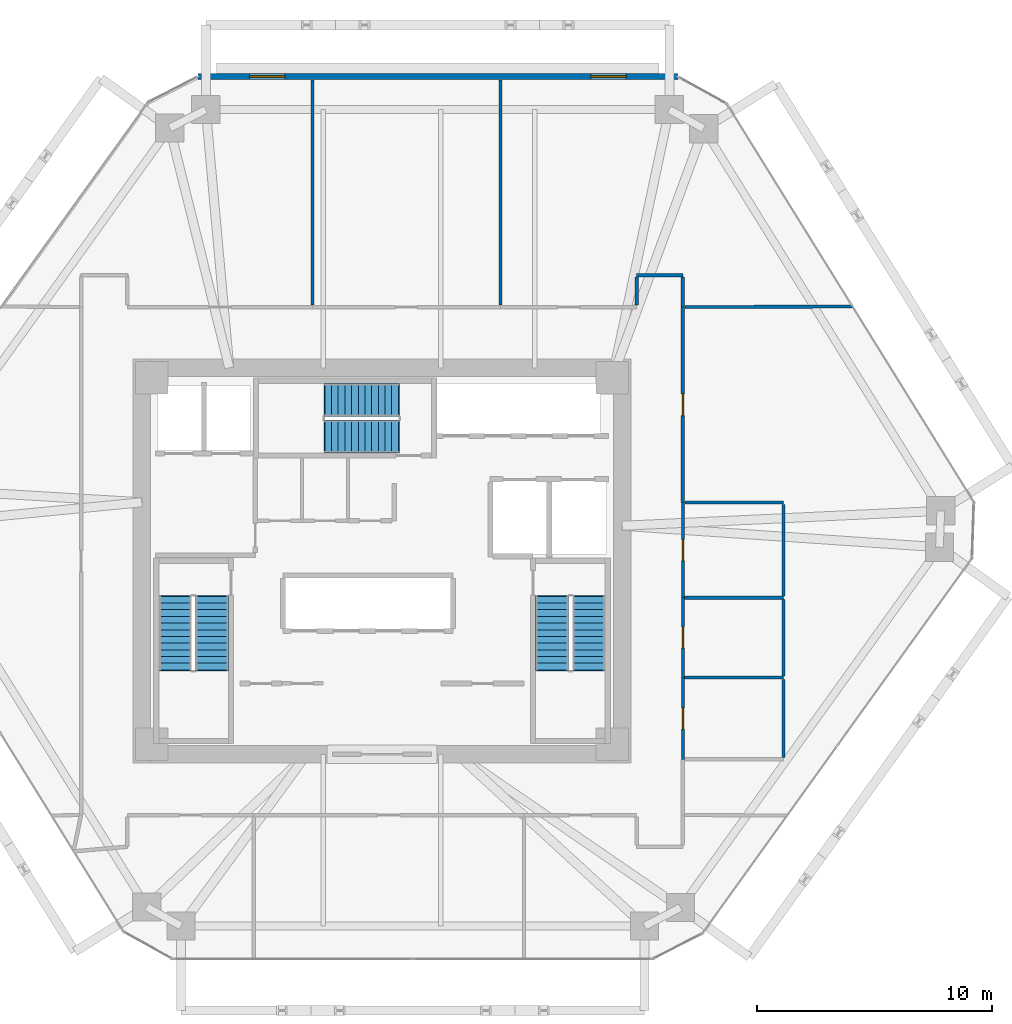
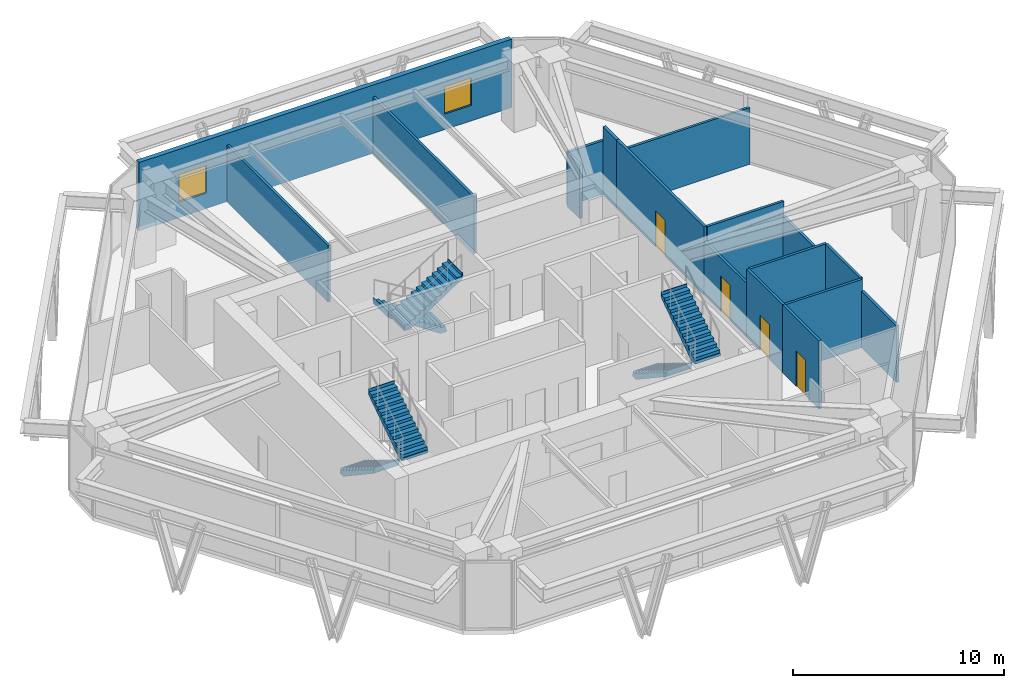
# One storey, part 12 of 14: 17 walls, 6 stair flights, 4 doors, 2 windows, 6 openings, 3 elements without a shape of their own.
"""IFC4 building model written with IfcOpenShell, lengths in metres."""

from ifc_helpers import new_model, si_unit, direction, frame, frame_2d, origin, place, context, subcontext, project, spatial, polyline, rectangle, outline, extrude, source, transform, mapped, material, layer, layer_set, type_object, type_shapes, element, fill, aggregate, save


model = new_model("IFC4")

# Units and contexts
model_context = context("Model", 3, precision=1e-05, world=origin(), true_north=direction((0.0, 1.0)))
body_context = subcontext(model_context, "Body", "Model", "MODEL_VIEW")
ifc_project = project(units=[si_unit("LENGTHUNIT", "METRE"), si_unit("AREAUNIT", "SQUARE_METRE"), si_unit("VOLUMEUNIT", "CUBIC_METRE"), si_unit("PLANEANGLEUNIT", "RADIAN"), si_unit("MASSUNIT", "GRAM", prefix="KILO")], contexts=[model_context])

# Site, building, storey
site_placement = place(None, origin())
site = spatial("IfcSite", under=ifc_project, at=site_placement, CompositionType="ELEMENT")
building_placement = place(site_placement, origin())
building = spatial("IfcBuilding", under=site, at=building_placement, Name="Durnholm Broadcast Tower", CompositionType="ELEMENT")
storey_placement = place(building_placement, frame((0.0, 0.0, 93.300048828125)))
storey = spatial("IfcBuildingStorey", under=building, at=storey_placement, Name="L24", CompositionType="ELEMENT", Elevation=93.300048828125)

# Wall, openings, windows
ifc_material_1 = material(Name="Precast Concrete C45/55", Category="concrete")
ifc_layer_1 = layer(ifc_material_1, 0.260009765625)
ifc_layer_set_1 = layer_set([ifc_layer_1], Name="Precast Concrete C45/55")
wall_type_1 = type_object("IfcWallType", Name="WALL-EXT-260", PredefinedType="SOLIDWALL", material=ifc_layer_set_1)
wall_1_placement = place(storey_placement, frame((-7.836181640625, 20.614990234375, 0.0), z_axis=(0.0, 0.0, 1.0), x_axis=(1.0, 0.0, 0.0)))
wall_1 = element("IfcWall", 1, at=wall_1_placement, inside=storey, type_object=wall_type_1, Name="L24 north feature spandrel wall", PredefinedType="SOLIDWALL", context=body_context, shape_type="SweptSolid", body=[
    extrude(rectangle(XDim=20.429443359375, YDim=0.260009765625, at=frame_2d((10.21484375, 0.0))), origin(), (0.0, 0.0, 1.0), 3.9599609375),
])
opening_1_placement = place(wall_1_placement, frame((2.199951171875, 0.0, 0.89990234375)))
opening_1 = element("IfcOpeningElement", 2, at=opening_1_placement, cuts=wall_1, Name="Opening W4", PredefinedType="OPENING", context=body_context, shape_type="SweptSolid", body=[
    extrude(rectangle(XDim=1.5, YDim=1.60009765625, at=frame_2d((0.75, 0.800048828125))), frame((0.0, 0.14013671875, 0.0), z_axis=(0.0, -1.0, 0.0), x_axis=(1.0, 0.0, 0.0)), (0.0, 0.0, 1.0), 0.280029296875),
])
opening_2_placement = place(wall_1_placement, frame((16.72900390625, 0.0, 0.89990234375)))
opening_2 = element("IfcOpeningElement", 3, at=opening_2_placement, cuts=wall_1, Name="Opening W4", PredefinedType="OPENING", context=body_context, shape_type="SweptSolid", body=[
    extrude(rectangle(XDim=1.5, YDim=1.60009765625, at=frame_2d((0.75, 0.800048828125))), frame((0.0, 0.14013671875, 0.0), z_axis=(0.0, -1.0, 0.0), x_axis=(1.0, 0.0, 0.0)), (0.0, 0.0, 1.0), 0.280029296875),
])
ifc_material_2 = material(Name="Thermally Broken Aluminium and Laminated Glass", Category="aluminium")
ifc_layer_2 = layer(ifc_material_2, 0.06005859375)
ifc_layer_set_2 = layer_set([ifc_layer_2], Name="Thermally Broken Aluminium and Laminated Glass")
window_type = type_object("IfcWindowType", Name="WIN-W4", PartitioningType="SINGLE_PANEL", PredefinedType="WINDOW", material=ifc_layer_set_2)
shared_shape_1 = source(origin(), body_context, "Body", "SweptSolid", [
    extrude(rectangle(XDim=1.5, YDim=1.60009765625, at=frame_2d((0.75, 0.800048828125))), frame((0.0, 0.030029296875, 0.0), z_axis=(0.0, -1.0, 0.0), x_axis=(1.0, 0.0, 0.0)), (0.0, 0.0, 1.0), 0.06005859375),
])
type_shapes(window_type, [shared_shape_1])
window_1_placement = place(opening_1_placement, origin())
window_1 = element("IfcWindow", 4, at=window_1_placement, inside=storey, type_object=window_type, Name="L24 feature window 1", OverallHeight=1.60009765625, OverallWidth=1.5, PartitioningType="SINGLE_PANEL", PredefinedType="WINDOW", context=body_context, shape_type="MappedRepresentation", body=[
    mapped(shared_shape_1, transform((0.0, 0.0, 0.0), x_axis=(1.0, 0.0, 0.0), y_axis=(0.0, 1.0, 0.0), z_axis=(0.0, 0.0, 1.0), scale=1.0)),
])
fill(opening_1, window_1)
window_2_placement = place(opening_2_placement, origin())
window_2 = element("IfcWindow", 5, at=window_2_placement, inside=storey, type_object=window_type, Name="L24 feature window 2", OverallHeight=1.60009765625, OverallWidth=1.5, PartitioningType="SINGLE_PANEL", PredefinedType="WINDOW", context=body_context, shape_type="MappedRepresentation", body=[
    mapped(shared_shape_1, transform((0.0, 0.0, 0.0), x_axis=(1.0, 0.0, 0.0), y_axis=(0.0, 1.0, 0.0), z_axis=(0.0, 0.0, 1.0), scale=1.0)),
])
fill(opening_2, window_2)

# Walls
ifc_material_3 = material(Name="Gypsum Metal Stud Partition", Category="concrete")
ifc_layer_3 = layer(ifc_material_3, 0.135009765625)
ifc_layer_set_3 = layer_set([ifc_layer_3], Name="Gypsum Metal Stud Partition")
wall_type_2 = type_object("IfcWallType", Name="WALL-PART-135", PredefinedType="PARTITIONING", material=ifc_layer_set_3)
for number, where, z_axis, x_axis, name in (
    (6, (-2.9599609375, 20.47998046875, 0.0), (0.0, 0.0, 1.0), (0.0, -1.0, 0.0), "L24 room dividing partition 10.11"),
    (7, (5.0400390625, 20.47998046875, 0.0), (0.0, 0.0, 1.0), (0.0, -1.0, 0.0), "L24 room dividing partition 11.12"),
):
    element("IfcWall", number, at=place(storey_placement, frame(where, z_axis=z_axis, x_axis=x_axis)), inside=storey, type_object=wall_type_2, Name=name, PredefinedType="PARTITIONING", context=body_context, shape_type="SweptSolid", body=[
        extrude(rectangle(XDim=9.591064453125, YDim=0.135009765625, at=frame_2d((4.79541015625, 0.0))), origin(), (0.0, 0.0, 1.0), 3.280029296875),
    ])
wall_2_placement = place(storey_placement, frame((20.03515625, 10.8310546875, 0.0), z_axis=(0.0, 0.0, 1.0), x_axis=(-0.999995783715, -0.002903885812, 0.0)))
element("IfcWall", 8, at=wall_2_placement, inside=storey, type_object=wall_type_2, Name="L24 room dividing partition 12.17", PredefinedType="PARTITIONING", context=body_context, shape_type="SweptSolid", body=[
    extrude(rectangle(XDim=7.146240234375, YDim=0.135009765625, at=frame_2d((3.5732421875, 0.0))), origin(), (0.0, 0.0, 1.0), 3.280029296875),
])
ifc_material_4 = material(Name="Acoustic Gypsum Stud Partition", Category="concrete")
ifc_layer_4 = layer(ifc_material_4, 0.14990234375)
ifc_layer_set_4 = layer_set([ifc_layer_4], Name="Acoustic Gypsum Stud Partition")
wall_type_3 = type_object("IfcWallType", Name="WALL-PART-150", PredefinedType="PARTITIONING", material=ifc_layer_set_4)
wall_3_placement = place(storey_placement, frame((12.81005859375, 12.159912109375, 0.0), z_axis=(0.0, 0.0, 1.0), x_axis=(-1.0, 0.0, 0.0)))
element("IfcWall", 9, at=wall_3_placement, inside=storey, type_object=wall_type_3, Name="L24 Sky Terrace Lounge corridor partition", PredefinedType="PARTITIONING", context=body_context, shape_type="SweptSolid", body=[
    extrude(rectangle(XDim=1.969970703125, YDim=0.14990234375, at=frame_2d((0.98486328125, 0.0))), origin(), (0.0, 0.0, 1.0), 3.112060546875),
])
wall_4_placement = place(storey_placement, frame((12.81005859375, 10.81005859375, 0.0), z_axis=(0.0, 0.0, 1.0), x_axis=(0.0, 1.0, 0.0)))
element("IfcWall", 10, at=wall_4_placement, inside=storey, type_object=wall_type_3, Name="L24 Sky Terrace Lounge corridor partition", PredefinedType="PARTITIONING", context=body_context, shape_type="SweptSolid", body=[
    extrude(rectangle(XDim=1.27099609375, YDim=0.14990234375, at=frame_2d((0.635498046875, 0.0))), origin(), (0.0, 0.0, 1.0), 3.945068359375),
])
wall_5_placement = place(storey_placement, frame((10.840087890625, 12.0810546875, 0.0), z_axis=(0.0, 0.0, 1.0), x_axis=(0.0, -1.0, 0.0)))
element("IfcWall", 11, at=wall_5_placement, inside=storey, type_object=wall_type_3, Name="L24 Sky Terrace Lounge corridor partition", PredefinedType="PARTITIONING", context=body_context, shape_type="SweptSolid", body=[
    extrude(rectangle(XDim=1.192138671875, YDim=0.14990234375, at=frame_2d((0.59619140625, 0.0))), origin(), (0.0, 0.0, 1.0), 3.112060546875),
])

# Wall, opening, door
wall_6_placement = place(storey_placement, frame((12.81005859375, 2.489990234375, 0.0), z_axis=(0.0, 0.0, 1.0), x_axis=(0.0, 1.0, 0.0)))
wall_6 = element("IfcWall", 12, at=wall_6_placement, inside=storey, type_object=wall_type_3, Name="L24 Broadcast Espresso Dining Room corridor partition", PredefinedType="PARTITIONING", context=body_context, shape_type="SweptSolid", body=[
    extrude(rectangle(XDim=8.320068359375, YDim=0.14990234375, at=frame_2d((4.16015625, 0.0))), origin(), (0.0, 0.0, 1.0), 3.945068359375),
])
opening_3_placement = place(wall_6_placement, frame((3.699951171875, 0.0, 0.0)))
opening_3 = element("IfcOpeningElement", 13, at=opening_3_placement, cuts=wall_6, Name="Opening DR-92R", PredefinedType="OPENING", context=body_context, shape_type="SweptSolid", body=[
    extrude(rectangle(XDim=0.919921875, YDim=2.10009765625, at=frame_2d((0.4599609375, 1.050048828125))), frame((0.0, 0.0849609375, 0.0), z_axis=(0.0, -1.0, 0.0), x_axis=(1.0, 0.0, 0.0)), (0.0, 0.0, 1.0), 0.169921875),
])
ifc_material_5 = material(Name="Oak Veneer Office Door", Category="wood")
ifc_layer_5 = layer(ifc_material_5, 0.050048828125)
ifc_layer_set_5 = layer_set([ifc_layer_5], Name="Oak Veneer Office Door")
door_type_1 = type_object("IfcDoorType", Name="DOOR-RM-920R", OperationType="NOTDEFINED", PredefinedType="DOOR", material=ifc_layer_set_5)
shared_shape_2 = source(origin(), body_context, "Body", "SweptSolid", [
    extrude(rectangle(XDim=0.919921875, YDim=2.10009765625, at=frame_2d((0.4599609375, 1.050048828125))), frame((0.0, 0.02490234375, 0.0), z_axis=(0.0, -1.0, 0.0), x_axis=(1.0, 0.0, 0.0)), (0.0, 0.0, 1.0), 0.050048828125),
])
type_shapes(door_type_1, [shared_shape_2])
door_1_placement = place(opening_3_placement, origin())
door_1 = element("IfcDoor", 14, at=door_1_placement, inside=storey, type_object=door_type_1, Name="L24 Broadcast Espresso Dining Room entrance door", OperationType="SINGLE_SWING_RIGHT", OverallHeight=2.10009765625, OverallWidth=0.919921875, PredefinedType="DOOR", context=body_context, shape_type="MappedRepresentation", body=[
    mapped(shared_shape_2, transform((0.0, 0.0, 0.0), x_axis=(1.0, 0.0, 0.0), y_axis=(0.0, 1.0, 0.0), z_axis=(0.0, 0.0, 1.0), scale=1.0)),
])
fill(opening_3, door_1)

ifc_material_6 = material(Name="Moisture-Resistant Tile Partition", Category="concrete")
ifc_layer_6 = layer(ifc_material_6, 0.139892578125)
ifc_layer_set_6 = layer_set([ifc_layer_6], Name="Moisture-Resistant Tile Partition")
wall_type_4 = type_object("IfcWallType", Name="WALL-WC-140", PredefinedType="PARTITIONING", material=ifc_layer_set_6)
wall_7_placement = place(storey_placement, frame((12.81005859375, -8.43994140625, 0.0), z_axis=(0.0, 0.0, 1.0), x_axis=(0.0, 1.0, 0.0)))
wall_7 = element("IfcWall", 15, at=wall_7_placement, inside=storey, type_object=wall_type_4, Name="L24 Men's Restroom corridor partition", PredefinedType="PARTITIONING", context=body_context, shape_type="SweptSolid", body=[
    extrude(rectangle(XDim=3.47998046875, YDim=0.139892578125, at=frame_2d((1.739990234375, 0.0))), origin(), (0.0, 0.0, 1.0), 3.945068359375),
])
opening_4_placement = place(wall_7_placement, frame((1.2900390625, 0.0, 0.0)))
opening_4 = element("IfcOpeningElement", 16, at=opening_4_placement, cuts=wall_7, Name="Opening DW-90R", PredefinedType="OPENING", context=body_context, shape_type="SweptSolid", body=[
    extrude(rectangle(XDim=0.89990234375, YDim=2.050048828125, at=frame_2d((0.449951171875, 1.02490234375))), frame((0.0, 0.080078125, 0.0), z_axis=(0.0, -1.0, 0.0), x_axis=(1.0, 0.0, 0.0)), (0.0, 0.0, 1.0), 0.159912109375),
])
ifc_material_7 = material(Name="Laminate Restroom Door", Category="steel")
ifc_layer_7 = layer(ifc_material_7, 0.050048828125)
ifc_layer_set_7 = layer_set([ifc_layer_7], Name="Laminate Restroom Door")
door_type_2 = type_object("IfcDoorType", Name="DOOR-WC-900R", OperationType="NOTDEFINED", PredefinedType="DOOR", material=ifc_layer_set_7)
shared_shape_3 = source(origin(), body_context, "Body", "SweptSolid", [
    extrude(rectangle(XDim=0.89990234375, YDim=2.050048828125, at=frame_2d((0.449951171875, 1.02490234375))), frame((0.0, 0.02490234375, 0.0), z_axis=(0.0, -1.0, 0.0), x_axis=(1.0, 0.0, 0.0)), (0.0, 0.0, 1.0), 0.050048828125),
])
type_shapes(door_type_2, [shared_shape_3])
door_2_placement = place(opening_4_placement, origin())
door_2 = element("IfcDoor", 17, at=door_2_placement, inside=storey, type_object=door_type_2, Name="L24 Men's Restroom entrance door", OperationType="SINGLE_SWING_RIGHT", OverallHeight=2.050048828125, OverallWidth=0.89990234375, PredefinedType="DOOR", context=body_context, shape_type="MappedRepresentation", body=[
    mapped(shared_shape_3, transform((0.0, 0.0, 0.0), x_axis=(1.0, 0.0, 0.0), y_axis=(0.0, 1.0, 0.0), z_axis=(0.0, 0.0, 1.0), scale=1.0)),
])
fill(opening_4, door_2)

wall_8_placement = place(storey_placement, frame((12.81005859375, -4.9599609375, 0.0), z_axis=(0.0, 0.0, 1.0), x_axis=(0.0, 1.0, 0.0)))
wall_8 = element("IfcWall", 18, at=wall_8_placement, inside=storey, type_object=wall_type_4, Name="L24 Women's Restroom corridor partition", PredefinedType="PARTITIONING", context=body_context, shape_type="SweptSolid", body=[
    extrude(rectangle(XDim=3.39990234375, YDim=0.139892578125, at=frame_2d((1.699951171875, 0.0))), origin(), (0.0, 0.0, 1.0), 3.945068359375),
])
opening_5_placement = place(wall_8_placement, frame((1.25, 0.0, 0.0)))
opening_5 = element("IfcOpeningElement", 19, at=opening_5_placement, cuts=wall_8, Name="Opening DW-90L", PredefinedType="OPENING", context=body_context, shape_type="SweptSolid", body=[
    extrude(rectangle(XDim=0.89990234375, YDim=2.050048828125, at=frame_2d((0.449951171875, 1.02490234375))), frame((0.0, 0.080078125, 0.0), z_axis=(0.0, -1.0, 0.0), x_axis=(1.0, 0.0, 0.0)), (0.0, 0.0, 1.0), 0.159912109375),
])
ifc_layer_8 = layer(ifc_material_7, 0.050048828125)
ifc_layer_set_8 = layer_set([ifc_layer_8], Name="Laminate Restroom Door")
door_type_3 = type_object("IfcDoorType", Name="DOOR-WC-900L", OperationType="NOTDEFINED", PredefinedType="DOOR", material=ifc_layer_set_8)
shared_shape_4 = source(origin(), body_context, "Body", "SweptSolid", [
    extrude(rectangle(XDim=0.89990234375, YDim=2.050048828125, at=frame_2d((0.449951171875, 1.02490234375))), frame((0.0, 0.02490234375, 0.0), z_axis=(0.0, -1.0, 0.0), x_axis=(1.0, 0.0, 0.0)), (0.0, 0.0, 1.0), 0.050048828125),
])
type_shapes(door_type_3, [shared_shape_4])
door_3_placement = place(opening_5_placement, origin())
door_3 = element("IfcDoor", 20, at=door_3_placement, inside=storey, type_object=door_type_3, Name="L24 Women's Restroom entrance door", OperationType="SINGLE_SWING_LEFT", OverallHeight=2.050048828125, OverallWidth=0.89990234375, PredefinedType="DOOR", context=body_context, shape_type="MappedRepresentation", body=[
    mapped(shared_shape_4, transform((0.0, 0.0, 0.0), x_axis=(1.0, 0.0, 0.0), y_axis=(0.0, 1.0, 0.0), z_axis=(0.0, 0.0, 1.0), scale=1.0)),
])
fill(opening_5, door_3)

wall_9_placement = place(storey_placement, frame((12.81005859375, -1.56005859375, 0.0), z_axis=(0.0, 0.0, 1.0), x_axis=(0.0, 1.0, 0.0)))
wall_9 = element("IfcWall", 21, at=wall_9_placement, inside=storey, type_object=wall_type_4, Name="L24 Accessible Restroom corridor partition", PredefinedType="PARTITIONING", context=body_context, shape_type="SweptSolid", body=[
    extrude(rectangle(XDim=4.050048828125, YDim=0.139892578125, at=frame_2d((2.02490234375, 0.0))), origin(), (0.0, 0.0, 1.0), 3.112060546875),
])
opening_6_placement = place(wall_9_placement, frame((1.574951171875, 0.0, 0.0)))
opening_6 = element("IfcOpeningElement", 22, at=opening_6_placement, cuts=wall_9, Name="Opening DW-90R", PredefinedType="OPENING", context=body_context, shape_type="SweptSolid", body=[
    extrude(rectangle(XDim=0.89990234375, YDim=2.050048828125, at=frame_2d((0.449951171875, 1.02490234375))), frame((0.0, 0.080078125, 0.0), z_axis=(0.0, -1.0, 0.0), x_axis=(1.0, 0.0, 0.0)), (0.0, 0.0, 1.0), 0.159912109375),
])
door_4_placement = place(opening_6_placement, origin())
door_4 = element("IfcDoor", 23, at=door_4_placement, inside=storey, type_object=door_type_2, Name="L24 Accessible Restroom entrance door", OperationType="SINGLE_SWING_RIGHT", OverallHeight=2.050048828125, OverallWidth=0.89990234375, PredefinedType="DOOR", context=body_context, shape_type="MappedRepresentation", body=[
    mapped(shared_shape_3, transform((0.0, 0.0, 0.0), x_axis=(1.0, 0.0, 0.0), y_axis=(0.0, 1.0, 0.0), z_axis=(0.0, 0.0, 1.0), scale=1.0)),
])
fill(opening_6, door_4)

# Walls
wall_10_placement = place(storey_placement, frame((12.884033203125, -4.9599609375, 0.0), z_axis=(0.0, 0.0, 1.0), x_axis=(1.0, 0.0, 0.0)))
element("IfcWall", 24, at=wall_10_placement, inside=storey, type_object=wall_type_4, Name="L24 room dividing partition 7.8", PredefinedType="PARTITIONING", context=body_context, shape_type="SweptSolid", body=[
    extrude(rectangle(XDim=4.2060546875, YDim=0.139892578125, at=frame_2d((2.10302734375, 0.0))), origin(), (0.0, 0.0, 1.0), 3.945068359375),
])
wall_11_placement = place(storey_placement, frame((17.090087890625, -5.033935546875, 0.0), z_axis=(0.0, 0.0, 1.0), x_axis=(0.0, -1.0, 0.0)))
element("IfcWall", 25, at=wall_11_placement, inside=storey, type_object=wall_type_4, Name="L24 room dividing partition 7.17", PredefinedType="PARTITIONING", context=body_context, shape_type="SweptSolid", body=[
    extrude(rectangle(XDim=3.33203125, YDim=0.139892578125, at=frame_2d((1.666015625, 0.0))), origin(), (0.0, 0.0, 1.0), 3.280029296875),
])
wall_12_placement = place(storey_placement, frame((12.884033203125, -1.56005859375, 0.0), z_axis=(0.0, 0.0, 1.0), x_axis=(1.0, 0.0, 0.0)))
element("IfcWall", 26, at=wall_12_placement, inside=storey, type_object=wall_type_4, Name="L24 room dividing partition 8.9", PredefinedType="PARTITIONING", context=body_context, shape_type="SweptSolid", body=[
    extrude(rectangle(XDim=4.2060546875, YDim=0.139892578125, at=frame_2d((2.10302734375, 0.0))), origin(), (0.0, 0.0, 1.0), 3.945068359375),
])
wall_13_placement = place(storey_placement, frame((17.090087890625, -1.634033203125, 0.0), z_axis=(0.0, 0.0, 1.0), x_axis=(0.0, -1.0, 0.0)))
element("IfcWall", 27, at=wall_13_placement, inside=storey, type_object=wall_type_4, Name="L24 room dividing partition 8.17", PredefinedType="PARTITIONING", context=body_context, shape_type="SweptSolid", body=[
    extrude(rectangle(XDim=3.251953125, YDim=0.139892578125, at=frame_2d((1.6259765625, 0.0))), origin(), (0.0, 0.0, 1.0), 3.945068359375),
])
wall_14_placement = place(storey_placement, frame((12.888916015625, 2.489990234375, 0.0), z_axis=(0.0, 0.0, 1.0), x_axis=(1.0, 0.0, 0.0)))
element("IfcWall", 28, at=wall_14_placement, inside=storey, type_object=wall_type_4, Name="L24 room dividing partition 9.17", PredefinedType="PARTITIONING", context=body_context, shape_type="SweptSolid", body=[
    extrude(rectangle(XDim=4.201171875, YDim=0.139892578125, at=frame_2d((2.1005859375, 0.0))), origin(), (0.0, 0.0, 1.0), 3.945068359375),
])
wall_15_placement = place(storey_placement, frame((17.090087890625, 2.416015625, 0.0), z_axis=(0.0, 0.0, 1.0), x_axis=(0.0, -1.0, 0.0)))
element("IfcWall", 29, at=wall_15_placement, inside=storey, type_object=wall_type_4, Name="L24 room dividing partition 9.17", PredefinedType="PARTITIONING", context=body_context, shape_type="SweptSolid", body=[
    extrude(rectangle(XDim=3.902099609375, YDim=0.139892578125, at=frame_2d((1.951171875, 0.0))), origin(), (0.0, 0.0, 1.0), 3.112060546875),
])

# Stair, stair flights
ifc_material_8 = material(Name="Concrete C50/60", Category="concrete")
stair_type = type_object("IfcStairType", Name="STAIR-DL-24R1750", PredefinedType="HALF_TURN_STAIR", material=ifc_material_8)
stair_1_placement = place(storey_placement, origin())
stair_1 = element("IfcStair", 30, at=stair_1_placement, inside=storey, type_object=stair_type, Name="L24 ST-1", PredefinedType="HALF_TURN_STAIR")
stair_flight_type = type_object("IfcStairFlightType", Name="FLIGHT-DL-24R1750", PredefinedType="STRAIGHT", material=ifc_material_8)
stair_flight_1_placement = place(storey_placement, frame((-8.800048828125, -1.5, 0.0), z_axis=(0.0, 0.0, 1.0), x_axis=(0.0, -1.0, 0.0)))
stair_flight_1 = element("IfcStairFlight", 31, at=stair_flight_1_placement, type_object=stair_flight_type, Name="ST-1 flight 1", NumberOfRisers=12, NumberOfTreads=11, PredefinedType="STRAIGHT", RiserHeight=0.175, TreadLength=0.285, context=body_context, shape_type="SweptSolid", body=[
    extrude(outline(polyline([(-0.0400390625, -0.14990234375), (-0.0400390625, 0.0), (0.0, 0.0), (0.0, 0.175048828125), (0.284912109375, 0.175048828125), (0.284912109375, 0.35009765625), (0.570068359375, 0.35009765625), (0.570068359375, 0.52490234375), (0.85498046875, 0.52490234375), (0.85498046875, 0.699951171875), (1.139892578125, 0.699951171875), (1.139892578125, 0.875), (1.425048828125, 0.875), (1.425048828125, 1.050048828125), (1.7099609375, 1.050048828125), (1.7099609375, 1.22509765625), (1.9951171875, 1.22509765625), (1.9951171875, 1.39990234375), (2.280029296875, 1.39990234375), (2.280029296875, 1.574951171875), (2.56494140625, 1.574951171875), (2.56494140625, 1.75), (2.85009765625, 1.75), (2.85009765625, 1.925048828125), (3.135009765625, 1.925048828125), (3.135009765625, 2.10009765625), (3.175048828125, 2.10009765625), (3.175048828125, 1.9501953125), (3.135009765625, 1.7490234375), (0.286376953125, -0.14990234375), (-0.0400390625, -0.14990234375)])), frame((0.0, 0.699951171875, 0.0), z_axis=(0.0, -1.0, 0.0), x_axis=(1.0, 0.0, 0.0)), (0.0, 0.0, 1.0), 1.39990234375),
])
stair_flight_2_placement = place(storey_placement, frame((-7.239990234375, -4.635009765625, 2.099853515625), z_axis=(0.0, 0.0, 1.0), x_axis=(0.0, 1.0, 0.0)))
stair_flight_2 = element("IfcStairFlight", 32, at=stair_flight_2_placement, type_object=stair_flight_type, Name="ST-1 flight 2", NumberOfRisers=12, NumberOfTreads=11, PredefinedType="STRAIGHT", RiserHeight=0.175, TreadLength=0.285, context=body_context, shape_type="SweptSolid", body=[
    extrude(outline(polyline([(-0.0400390625, -0.14990234375), (-0.0400390625, 0.0), (0.0, 0.0), (0.0, 0.175048828125), (0.284912109375, 0.175048828125), (0.284912109375, 0.35009765625), (0.570068359375, 0.35009765625), (0.570068359375, 0.52490234375), (0.85498046875, 0.52490234375), (0.85498046875, 0.699951171875), (1.139892578125, 0.699951171875), (1.139892578125, 0.875), (1.425048828125, 0.875), (1.425048828125, 1.050048828125), (1.7099609375, 1.050048828125), (1.7099609375, 1.22509765625), (1.9951171875, 1.22509765625), (1.9951171875, 1.39990234375), (2.280029296875, 1.39990234375), (2.280029296875, 1.574951171875), (2.56494140625, 1.574951171875), (2.56494140625, 1.75), (2.85009765625, 1.75), (2.85009765625, 1.925048828125), (3.135009765625, 1.925048828125), (3.135009765625, 2.10009765625), (3.175048828125, 2.10009765625), (3.175048828125, 1.9501953125), (3.135009765625, 1.7490234375), (0.286376953125, -0.14990234375), (-0.0400390625, -0.14990234375)])), frame((0.0, 0.699951171875, 0.0), z_axis=(0.0, -1.0, 0.0), x_axis=(1.0, 0.0, 0.0)), (0.0, 0.0, 1.0), 1.39990234375),
])
aggregate(stair_1, [stair_flight_1, stair_flight_2])

stair_2_placement = place(storey_placement, origin())
stair_2 = element("IfcStair", 33, at=stair_2_placement, inside=storey, type_object=stair_type, Name="L24 ST-2", PredefinedType="HALF_TURN_STAIR")
stair_flight_3_placement = place(storey_placement, frame((7.239990234375, -1.5, 0.0), z_axis=(0.0, 0.0, 1.0), x_axis=(0.0, -1.0, 0.0)))
stair_flight_3 = element("IfcStairFlight", 34, at=stair_flight_3_placement, type_object=stair_flight_type, Name="ST-2 flight 1", NumberOfRisers=12, NumberOfTreads=11, PredefinedType="STRAIGHT", RiserHeight=0.175, TreadLength=0.285, context=body_context, shape_type="SweptSolid", body=[
    extrude(outline(polyline([(-0.0400390625, -0.14990234375), (-0.0400390625, 0.0), (0.0, 0.0), (0.0, 0.175048828125), (0.284912109375, 0.175048828125), (0.284912109375, 0.35009765625), (0.570068359375, 0.35009765625), (0.570068359375, 0.52490234375), (0.85498046875, 0.52490234375), (0.85498046875, 0.699951171875), (1.139892578125, 0.699951171875), (1.139892578125, 0.875), (1.425048828125, 0.875), (1.425048828125, 1.050048828125), (1.7099609375, 1.050048828125), (1.7099609375, 1.22509765625), (1.9951171875, 1.22509765625), (1.9951171875, 1.39990234375), (2.280029296875, 1.39990234375), (2.280029296875, 1.574951171875), (2.56494140625, 1.574951171875), (2.56494140625, 1.75), (2.85009765625, 1.75), (2.85009765625, 1.925048828125), (3.135009765625, 1.925048828125), (3.135009765625, 2.10009765625), (3.175048828125, 2.10009765625), (3.175048828125, 1.9501953125), (3.135009765625, 1.7490234375), (0.286376953125, -0.14990234375), (-0.0400390625, -0.14990234375)])), frame((0.0, 0.699951171875, 0.0), z_axis=(0.0, -1.0, 0.0), x_axis=(1.0, 0.0, 0.0)), (0.0, 0.0, 1.0), 1.39990234375),
])
stair_flight_4_placement = place(storey_placement, frame((8.800048828125, -4.635009765625, 2.099853515625), z_axis=(0.0, 0.0, 1.0), x_axis=(0.0, 1.0, 0.0)))
stair_flight_4 = element("IfcStairFlight", 35, at=stair_flight_4_placement, type_object=stair_flight_type, Name="ST-2 flight 2", NumberOfRisers=12, NumberOfTreads=11, PredefinedType="STRAIGHT", RiserHeight=0.175, TreadLength=0.285, context=body_context, shape_type="SweptSolid", body=[
    extrude(outline(polyline([(-0.0400390625, -0.14990234375), (-0.0400390625, 0.0), (0.0, 0.0), (0.0, 0.175048828125), (0.284912109375, 0.175048828125), (0.284912109375, 0.35009765625), (0.570068359375, 0.35009765625), (0.570068359375, 0.52490234375), (0.85498046875, 0.52490234375), (0.85498046875, 0.699951171875), (1.139892578125, 0.699951171875), (1.139892578125, 0.875), (1.425048828125, 0.875), (1.425048828125, 1.050048828125), (1.7099609375, 1.050048828125), (1.7099609375, 1.22509765625), (1.9951171875, 1.22509765625), (1.9951171875, 1.39990234375), (2.280029296875, 1.39990234375), (2.280029296875, 1.574951171875), (2.56494140625, 1.574951171875), (2.56494140625, 1.75), (2.85009765625, 1.75), (2.85009765625, 1.925048828125), (3.135009765625, 1.925048828125), (3.135009765625, 2.10009765625), (3.175048828125, 2.10009765625), (3.175048828125, 1.9501953125), (3.135009765625, 1.7490234375), (0.286376953125, -0.14990234375), (-0.0400390625, -0.14990234375)])), frame((0.0, 0.699951171875, 0.0), z_axis=(0.0, -1.0, 0.0), x_axis=(1.0, 0.0, 0.0)), (0.0, 0.0, 1.0), 1.39990234375),
])
aggregate(stair_2, [stair_flight_3, stair_flight_4])

stair_3_placement = place(storey_placement, origin())
stair_3 = element("IfcStair", 36, at=stair_3_placement, inside=storey, type_object=stair_type, Name="L24 ST-3", PredefinedType="HALF_TURN_STAIR")
stair_flight_5_placement = place(storey_placement, frame((0.699951171875, 6.860107421875, 0.0), z_axis=(0.0, 0.0, 1.0), x_axis=(-1.0, 0.0, 0.0)))
stair_flight_5 = element("IfcStairFlight", 37, at=stair_flight_5_placement, type_object=stair_flight_type, Name="ST-3 flight 1", NumberOfRisers=12, NumberOfTreads=11, PredefinedType="STRAIGHT", RiserHeight=0.175, TreadLength=0.285, context=body_context, shape_type="SweptSolid", body=[
    extrude(outline(polyline([(-0.0400390625, -0.14990234375), (-0.0400390625, 0.0), (0.0, 0.0), (0.0, 0.175048828125), (0.284912109375, 0.175048828125), (0.284912109375, 0.35009765625), (0.570068359375, 0.35009765625), (0.570068359375, 0.52490234375), (0.85498046875, 0.52490234375), (0.85498046875, 0.699951171875), (1.139892578125, 0.699951171875), (1.139892578125, 0.875), (1.425048828125, 0.875), (1.425048828125, 1.050048828125), (1.7099609375, 1.050048828125), (1.7099609375, 1.22509765625), (1.9951171875, 1.22509765625), (1.9951171875, 1.39990234375), (2.280029296875, 1.39990234375), (2.280029296875, 1.574951171875), (2.56494140625, 1.574951171875), (2.56494140625, 1.75), (2.85009765625, 1.75), (2.85009765625, 1.925048828125), (3.135009765625, 1.925048828125), (3.135009765625, 2.10009765625), (3.175048828125, 2.10009765625), (3.175048828125, 1.9501953125), (3.135009765625, 1.7490234375), (0.286376953125, -0.14990234375), (-0.0400390625, -0.14990234375)])), frame((0.0, 0.699951171875, 0.0), z_axis=(0.0, -1.0, 0.0), x_axis=(1.0, 0.0, 0.0)), (0.0, 0.0, 1.0), 1.39990234375),
])
stair_flight_6_placement = place(storey_placement, frame((-2.43505859375, 5.300048828125, 2.099853515625), z_axis=(0.0, 0.0, 1.0), x_axis=(1.0, 0.0, 0.0)))
stair_flight_6 = element("IfcStairFlight", 38, at=stair_flight_6_placement, type_object=stair_flight_type, Name="ST-3 flight 2", NumberOfRisers=12, NumberOfTreads=11, PredefinedType="STRAIGHT", RiserHeight=0.175, TreadLength=0.285, context=body_context, shape_type="SweptSolid", body=[
    extrude(outline(polyline([(-0.0400390625, -0.14990234375), (-0.0400390625, 0.0), (0.0, 0.0), (0.0, 0.175048828125), (0.284912109375, 0.175048828125), (0.284912109375, 0.35009765625), (0.570068359375, 0.35009765625), (0.570068359375, 0.52490234375), (0.85498046875, 0.52490234375), (0.85498046875, 0.699951171875), (1.139892578125, 0.699951171875), (1.139892578125, 0.875), (1.425048828125, 0.875), (1.425048828125, 1.050048828125), (1.7099609375, 1.050048828125), (1.7099609375, 1.22509765625), (1.9951171875, 1.22509765625), (1.9951171875, 1.39990234375), (2.280029296875, 1.39990234375), (2.280029296875, 1.574951171875), (2.56494140625, 1.574951171875), (2.56494140625, 1.75), (2.85009765625, 1.75), (2.85009765625, 1.925048828125), (3.135009765625, 1.925048828125), (3.135009765625, 2.10009765625), (3.175048828125, 2.10009765625), (3.175048828125, 1.9501953125), (3.135009765625, 1.7490234375), (0.286376953125, -0.14990234375), (-0.0400390625, -0.14990234375)])), frame((0.0, 0.699951171875, 0.0), z_axis=(0.0, -1.0, 0.0), x_axis=(1.0, 0.0, 0.0)), (0.0, 0.0, 1.0), 1.39990234375),
])
aggregate(stair_3, [stair_flight_5, stair_flight_6])

save(model, "model.ifc")
